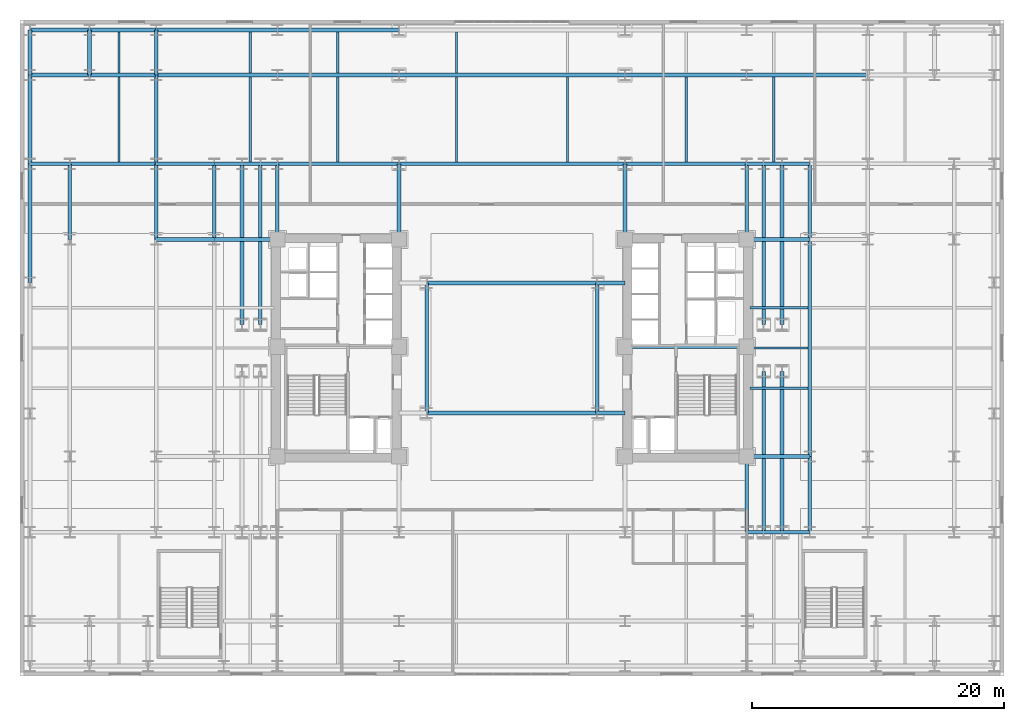
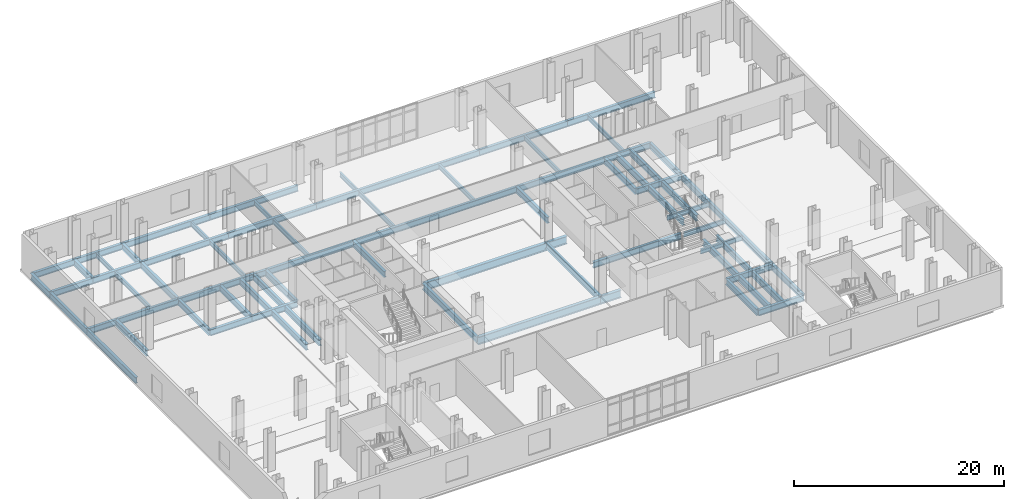
# One storey, part 4 of 15: 68 beams.
"""IFC4 building model written with IfcOpenShell, lengths in metres."""

from ifc_helpers import new_model, si_unit, direction, frame, origin, origin_2d, place, context, subcontext, project, spatial, i_section, extrude, material, material_profile, profile_set, type_object, element, save


model = new_model("IFC4")

# Units and contexts
model_context = context("Model", 3, precision=1e-05, world=origin(), true_north=direction((0.0, 1.0)))
body_context = subcontext(model_context, "Body", "Model", "MODEL_VIEW")
ifc_project = project(units=[si_unit("LENGTHUNIT", "METRE"), si_unit("AREAUNIT", "SQUARE_METRE"), si_unit("VOLUMEUNIT", "CUBIC_METRE"), si_unit("PLANEANGLEUNIT", "RADIAN"), si_unit("MASSUNIT", "GRAM", prefix="KILO")], contexts=[model_context])

# Site, building, storey
site_placement = place(None, origin())
site = spatial("IfcSite", under=ifc_project, at=site_placement, CompositionType="ELEMENT")
building_placement = place(site_placement, origin())
building = spatial("IfcBuilding", under=site, at=building_placement, Name="Velakula Bourse", CompositionType="ELEMENT")
storey_placement = place(building_placement, frame((0.0, 0.0, 14.10009765625)))
storey = spatial("IfcBuildingStorey", under=building, at=storey_placement, Name="L03", CompositionType="ELEMENT", Elevation=14.10009765625)

# Beams
ifc_material = material(Name="Steel IS 2062 Grade 350 (E350)", Category="steel")
ifc_material_profile_1 = material_profile(ifc_material, i_section(OverallWidth=0.35009765625, OverallDepth=0.89990234375, WebThickness=0.02001953125, FlangeThickness=0.031982421875, at=origin_2d()), Name="Steel IS 2062 Grade 350 (E350)")
ifc_profile_set_1 = profile_set([ifc_material_profile_1], Name="Steel IS 2062 Grade 350 (E350)")
beam_type_1 = type_object("IfcBeamType", Name="BM-LNK-900", PredefinedType="BEAM", material=ifc_profile_set_1)
beam_1_placement = place(storey_placement, frame((-6.75, -5.14990234375, -0.7001953125), z_axis=(1.0, 0.0, 0.0), x_axis=(0.0, 1.0, 0.0)))
element("IfcBeam", 1, at=beam_1_placement, inside=storey, type_object=beam_type_1, Name="L03 Primary Backbone Girder LNK-S2", PredefinedType="BEAM", context=body_context, shape_type="SweptSolid", body=[
    extrude(i_section(OverallWidth=0.35009765625, OverallDepth=0.89990234375, WebThickness=0.02001953125, FlangeThickness=0.031982421875, at=origin_2d()), origin(), (0.0, 0.0, 1.0), 13.5),
])
beam_2_placement = place(storey_placement, frame((6.75, -5.14990234375, -0.7001953125), z_axis=(1.0, 0.0, 0.0), x_axis=(0.0, 1.0, 0.0)))
element("IfcBeam", 2, at=beam_2_placement, inside=storey, type_object=beam_type_1, Name="L03 Primary Backbone Girder LNK-S3", PredefinedType="BEAM", context=body_context, shape_type="SweptSolid", body=[
    extrude(i_section(OverallWidth=0.35009765625, OverallDepth=0.89990234375, WebThickness=0.02001953125, FlangeThickness=0.031982421875, at=origin_2d()), origin(), (0.0, 0.0, 1.0), 2.199951171875),
])
beam_3_placement = place(storey_placement, frame((-6.75, 5.14990234375, -0.7001953125), z_axis=(1.0, 0.0, 0.0), x_axis=(0.0, 1.0, 0.0)))
element("IfcBeam", 3, at=beam_3_placement, inside=storey, type_object=beam_type_1, Name="L03 Primary Backbone Girder LNK-N2", PredefinedType="BEAM", context=body_context, shape_type="SweptSolid", body=[
    extrude(i_section(OverallWidth=0.35009765625, OverallDepth=0.89990234375, WebThickness=0.02001953125, FlangeThickness=0.031982421875, at=origin_2d()), origin(), (0.0, 0.0, 1.0), 13.5),
])
beam_4_placement = place(storey_placement, frame((6.75, 5.14990234375, -0.7001953125), z_axis=(1.0, 0.0, 0.0), x_axis=(0.0, 1.0, 0.0)))
element("IfcBeam", 4, at=beam_4_placement, inside=storey, type_object=beam_type_1, Name="L03 Primary Backbone Girder LNK-N3", PredefinedType="BEAM", context=body_context, shape_type="SweptSolid", body=[
    extrude(i_section(OverallWidth=0.35009765625, OverallDepth=0.89990234375, WebThickness=0.02001953125, FlangeThickness=0.031982421875, at=origin_2d()), origin(), (0.0, 0.0, 1.0), 2.199951171875),
])
ifc_material_profile_2 = material_profile(ifc_material, i_section(OverallWidth=0.300048828125, OverallDepth=0.699951171875, WebThickness=0.01611328125, FlangeThickness=0.02490234375, at=origin_2d()), Name="Steel IS 2062 Grade 350 (E350)")
ifc_profile_set_2 = profile_set([ifc_material_profile_2], Name="Steel IS 2062 Grade 350 (E350)")
beam_type_2 = type_object("IfcBeamType", Name="BM-POD-700", PredefinedType="BEAM", material=ifc_profile_set_2)
beam_5_placement = place(storey_placement, frame((8.949951171875, 0.10009765625, -0.60009765625), z_axis=(1.0, 0.0, 0.0), x_axis=(0.0, 1.0, 0.0)))
element("IfcBeam", 5, at=beam_5_placement, inside=storey, type_object=beam_type_2, Name="L03 Primary Backbone Girder CRE-M", PredefinedType="BEAM", context=body_context, shape_type="SweptSolid", body=[
    extrude(i_section(OverallWidth=0.300048828125, OverallDepth=0.699951171875, WebThickness=0.01611328125, FlangeThickness=0.02490234375, at=origin_2d()), origin(), (0.0, 0.0, 1.0), 9.650146484375),
])
for number, where, z_axis, x_axis, name in (
    (6, (-6.75, -5.14990234375, -0.60009765625), (0.0, 1.0, 0.0), (-1.0, 0.0, 0.0), "L03 Primary Backbone Girder SPN-W"),
    (7, (6.75, -5.14990234375, -0.60009765625), (0.0, 1.0, 0.0), (-1.0, 0.0, 0.0), "L03 Primary Backbone Girder SPN-E"),
):
    element("IfcBeam", number, at=place(storey_placement, frame(where, z_axis=z_axis, x_axis=x_axis)), inside=storey, type_object=beam_type_2, Name=name, PredefinedType="BEAM", context=body_context, shape_type="SweptSolid", body=[
        extrude(i_section(OverallWidth=0.300048828125, OverallDepth=0.699951171875, WebThickness=0.01611328125, FlangeThickness=0.02490234375, at=origin_2d()), origin(), (0.0, 0.0, 1.0), 10.2998046875),
    ])
for number, where, z_axis, x_axis, name in (
    (8, (-18.60009765625, 8.60009765625, -0.60009765625), (0.0, 1.0, 0.0), (-1.0, 0.0, 0.0), "L03 Fulcrum Grid Girder FLC-WN"),
    (9, (-8.949951171875, 8.60009765625, -0.60009765625), (0.0, 1.0, 0.0), (-1.0, 0.0, 0.0), "L03 Fulcrum Grid Girder FLC-WCN"),
    (10, (8.949951171875, 8.60009765625, -0.60009765625), (0.0, 1.0, 0.0), (-1.0, 0.0, 0.0), "L03 Fulcrum Grid Girder FLC-ECN"),
    (11, (18.60009765625, -14.60009765625, -0.60009765625), (0.0, 1.0, 0.0), (-1.0, 0.0, 0.0), "L03 Fulcrum Grid Girder FLC-ES"),
    (12, (18.60009765625, 8.60009765625, -0.60009765625), (0.0, 1.0, 0.0), (-1.0, 0.0, 0.0), "L03 Fulcrum Grid Girder FLC-EN"),
):
    element("IfcBeam", number, at=place(storey_placement, frame(where, z_axis=z_axis, x_axis=x_axis)), inside=storey, type_object=beam_type_2, Name=name, PredefinedType="BEAM", context=body_context, shape_type="SweptSolid", body=[
        extrude(i_section(OverallWidth=0.300048828125, OverallDepth=0.699951171875, WebThickness=0.01611328125, FlangeThickness=0.02490234375, at=origin_2d()), origin(), (0.0, 0.0, 1.0), 6.0),
    ])
beam_6_placement = place(storey_placement, frame((-18.60009765625, 14.60009765625, -0.60009765625), z_axis=(1.0, 0.0, 0.0), x_axis=(0.0, 1.0, 0.0)))
element("IfcBeam", 13, at=beam_6_placement, inside=storey, type_object=beam_type_2, Name="L03 Fulcrum Grid Girder FLC-N1", PredefinedType="BEAM", context=body_context, shape_type="SweptSolid", body=[
    extrude(i_section(OverallWidth=0.300048828125, OverallDepth=0.699951171875, WebThickness=0.01611328125, FlangeThickness=0.02490234375, at=origin_2d()), origin(), (0.0, 0.0, 1.0), 9.650146484375),
])
beam_7_placement = place(storey_placement, frame((-8.949951171875, 14.60009765625, -0.60009765625), z_axis=(1.0, 0.0, 0.0), x_axis=(0.0, 1.0, 0.0)))
element("IfcBeam", 14, at=beam_7_placement, inside=storey, type_object=beam_type_2, Name="L03 Fulcrum Grid Girder FLC-N2", PredefinedType="BEAM", context=body_context, shape_type="SweptSolid", body=[
    extrude(i_section(OverallWidth=0.300048828125, OverallDepth=0.699951171875, WebThickness=0.01611328125, FlangeThickness=0.02490234375, at=origin_2d()), origin(), (0.0, 0.0, 1.0), 17.89990234375),
])
beam_8_placement = place(storey_placement, frame((8.949951171875, 14.60009765625, -0.60009765625), z_axis=(1.0, 0.0, 0.0), x_axis=(0.0, 1.0, 0.0)))
element("IfcBeam", 15, at=beam_8_placement, inside=storey, type_object=beam_type_2, Name="L03 Fulcrum Grid Girder FLC-N3", PredefinedType="BEAM", context=body_context, shape_type="SweptSolid", body=[
    extrude(i_section(OverallWidth=0.300048828125, OverallDepth=0.699951171875, WebThickness=0.01611328125, FlangeThickness=0.02490234375, at=origin_2d()), origin(), (0.0, 0.0, 1.0), 9.650146484375),
])
for number, where, z_axis, x_axis, name in (
    (16, (-21.39990234375, 1.85009765625, -0.60009765625), (0.0, 1.0, 0.0), (-1.0, 0.0, 0.0), "L03 Fulcrum Grid Girder FLC-PNW1"),
    (17, (-19.949951171875, 1.85009765625, -0.60009765625), (0.0, 1.0, 0.0), (-1.0, 0.0, 0.0), "L03 Fulcrum Grid Girder FLC-PNW2"),
    (18, (19.949951171875, -14.60009765625, -0.60009765625), (0.0, 1.0, 0.0), (-1.0, 0.0, 0.0), "L03 Fulcrum Grid Girder FLC-PSE1"),
    (19, (19.949951171875, 1.85009765625, -0.60009765625), (0.0, 1.0, 0.0), (-1.0, 0.0, 0.0), "L03 Fulcrum Grid Girder FLC-PNE1"),
    (20, (21.39990234375, -14.60009765625, -0.60009765625), (0.0, 1.0, 0.0), (-1.0, 0.0, 0.0), "L03 Fulcrum Grid Girder FLC-PSE2"),
    (21, (21.39990234375, 1.85009765625, -0.60009765625), (0.0, 1.0, 0.0), (-1.0, 0.0, 0.0), "L03 Fulcrum Grid Girder FLC-PNE2"),
):
    element("IfcBeam", number, at=place(storey_placement, frame(where, z_axis=z_axis, x_axis=x_axis)), inside=storey, type_object=beam_type_2, Name=name, PredefinedType="BEAM", context=body_context, shape_type="SweptSolid", body=[
        extrude(i_section(OverallWidth=0.300048828125, OverallDepth=0.699951171875, WebThickness=0.01611328125, FlangeThickness=0.02490234375, at=origin_2d()), origin(), (0.0, 0.0, 1.0), 12.75),
    ])
for number, where, z_axis, x_axis, name in (
    (22, (-23.60009765625, 8.60009765625, -0.60009765625), (1.0, 0.0, 0.0), (0.0, 1.0, 0.0), "L03 Fulcrum Grid Girder MWG-WN1"),
    (23, (-23.60009765625, 14.60009765625, -0.60009765625), (1.0, 0.0, 0.0), (0.0, 1.0, 0.0), "L03 Fulcrum Grid Girder MWG-WN2"),
):
    element("IfcBeam", number, at=place(storey_placement, frame(where, z_axis=z_axis, x_axis=x_axis)), inside=storey, type_object=beam_type_2, Name=name, PredefinedType="BEAM", context=body_context, shape_type="SweptSolid", body=[
        extrude(i_section(OverallWidth=0.300048828125, OverallDepth=0.699951171875, WebThickness=0.01611328125, FlangeThickness=0.02490234375, at=origin_2d()), origin(), (0.0, 0.0, 1.0), 5.0),
    ])
beam_9_placement = place(storey_placement, frame((-23.60009765625, 8.60009765625, -0.60009765625), z_axis=(0.0, 1.0, 0.0), x_axis=(-1.0, 0.0, 0.0)))
element("IfcBeam", 24, at=beam_9_placement, inside=storey, type_object=beam_type_2, Name="L03 Fulcrum Grid Girder MWG-WNS3", PredefinedType="BEAM", context=body_context, shape_type="SweptSolid", body=[
    extrude(i_section(OverallWidth=0.300048828125, OverallDepth=0.699951171875, WebThickness=0.01611328125, FlangeThickness=0.02490234375, at=origin_2d()), origin(), (0.0, 0.0, 1.0), 6.0),
])
for number, where, z_axis, x_axis, name in (
    (25, (18.60009765625, -14.60009765625, -0.60009765625), (1.0, 0.0, 0.0), (0.0, 1.0, 0.0), "L03 Fulcrum Grid Girder MWG-ES1"),
    (26, (18.60009765625, -8.60009765625, -0.60009765625), (1.0, 0.0, 0.0), (0.0, 1.0, 0.0), "L03 Fulcrum Grid Girder MWG-ES2"),
    (27, (18.60009765625, 8.60009765625, -0.60009765625), (1.0, 0.0, 0.0), (0.0, 1.0, 0.0), "L03 Fulcrum Grid Girder MWG-EN1"),
    (28, (18.60009765625, 14.60009765625, -0.60009765625), (1.0, 0.0, 0.0), (0.0, 1.0, 0.0), "L03 Fulcrum Grid Girder MWG-EN2"),
):
    element("IfcBeam", number, at=place(storey_placement, frame(where, z_axis=z_axis, x_axis=x_axis)), inside=storey, type_object=beam_type_2, Name=name, PredefinedType="BEAM", context=body_context, shape_type="SweptSolid", body=[
        extrude(i_section(OverallWidth=0.300048828125, OverallDepth=0.699951171875, WebThickness=0.01611328125, FlangeThickness=0.02490234375, at=origin_2d()), origin(), (0.0, 0.0, 1.0), 5.0),
    ])
beam_10_placement = place(storey_placement, frame((23.60009765625, -14.60009765625, -0.60009765625), z_axis=(0.0, 1.0, 0.0), x_axis=(-1.0, 0.0, 0.0)))
element("IfcBeam", 29, at=beam_10_placement, inside=storey, type_object=beam_type_2, Name="L03 Fulcrum Grid Girder MWG-ENS1", PredefinedType="BEAM", context=body_context, shape_type="SweptSolid", body=[
    extrude(i_section(OverallWidth=0.300048828125, OverallDepth=0.699951171875, WebThickness=0.01611328125, FlangeThickness=0.02490234375, at=origin_2d()), origin(), (0.0, 0.0, 1.0), 6.0),
])
beam_11_placement = place(storey_placement, frame((23.60009765625, -8.60009765625, -0.60009765625), z_axis=(0.0, 1.0, 0.0), x_axis=(-1.0, 0.0, 0.0)))
element("IfcBeam", 30, at=beam_11_placement, inside=storey, type_object=beam_type_2, Name="L03 Fulcrum Grid Girder MWG-ENS2", PredefinedType="BEAM", context=body_context, shape_type="SweptSolid", body=[
    extrude(i_section(OverallWidth=0.300048828125, OverallDepth=0.699951171875, WebThickness=0.01611328125, FlangeThickness=0.02490234375, at=origin_2d()), origin(), (0.0, 0.0, 1.0), 17.2001953125),
])
beam_12_placement = place(storey_placement, frame((23.60009765625, 8.60009765625, -0.60009765625), z_axis=(0.0, 1.0, 0.0), x_axis=(-1.0, 0.0, 0.0)))
element("IfcBeam", 31, at=beam_12_placement, inside=storey, type_object=beam_type_2, Name="L03 Fulcrum Grid Girder MWG-ENS3", PredefinedType="BEAM", context=body_context, shape_type="SweptSolid", body=[
    extrude(i_section(OverallWidth=0.300048828125, OverallDepth=0.699951171875, WebThickness=0.01611328125, FlangeThickness=0.02490234375, at=origin_2d()), origin(), (0.0, 0.0, 1.0), 6.0),
])
for number, where, z_axis, x_axis, name in (
    (32, (-28.199951171875, 8.60009765625, -0.60009765625), (1.0, 0.0, 0.0), (0.0, 1.0, 0.0), "L03 Fulcrum Grid Girder WNG-WN1"),
    (33, (-28.199951171875, 14.60009765625, -0.60009765625), (1.0, 0.0, 0.0), (0.0, 1.0, 0.0), "L03 Fulcrum Grid Girder WNG-WN2"),
):
    element("IfcBeam", number, at=place(storey_placement, frame(where, z_axis=z_axis, x_axis=x_axis)), inside=storey, type_object=beam_type_2, Name=name, PredefinedType="BEAM", context=body_context, shape_type="SweptSolid", body=[
        extrude(i_section(OverallWidth=0.300048828125, OverallDepth=0.699951171875, WebThickness=0.01611328125, FlangeThickness=0.02490234375, at=origin_2d()), origin(), (0.0, 0.0, 1.0), 4.599853515625),
    ])
beam_13_placement = place(storey_placement, frame((-28.199951171875, 8.60009765625, -0.60009765625), z_axis=(0.0, 1.0, 0.0), x_axis=(-1.0, 0.0, 0.0)))
element("IfcBeam", 34, at=beam_13_placement, inside=storey, type_object=beam_type_2, Name="L03 Fulcrum Grid Girder WNG-WNS3", PredefinedType="BEAM", context=body_context, shape_type="SweptSolid", body=[
    extrude(i_section(OverallWidth=0.300048828125, OverallDepth=0.699951171875, WebThickness=0.01611328125, FlangeThickness=0.02490234375, at=origin_2d()), origin(), (0.0, 0.0, 1.0), 6.0),
])
beam_14_placement = place(storey_placement, frame((-38.199951171875, 14.60009765625, -0.60009765625), z_axis=(1.0, 0.0, 0.0), x_axis=(0.0, 1.0, 0.0)))
element("IfcBeam", 35, at=beam_14_placement, inside=storey, type_object=beam_type_2, Name="L03 Podium E-W Girder 34", PredefinedType="BEAM", context=body_context, shape_type="SweptSolid", body=[
    extrude(i_section(OverallWidth=0.300048828125, OverallDepth=0.699951171875, WebThickness=0.01611328125, FlangeThickness=0.02490234375, at=origin_2d()), origin(), (0.0, 0.0, 1.0), 3.14990234375),
])
beam_15_placement = place(storey_placement, frame((-35.050048828125, 14.60009765625, -0.60009765625), z_axis=(1.0, 0.0, 0.0), x_axis=(0.0, 1.0, 0.0)))
element("IfcBeam", 36, at=beam_15_placement, inside=storey, type_object=beam_type_2, Name="L03 Podium E-W Girder 35", PredefinedType="BEAM", context=body_context, shape_type="SweptSolid", body=[
    extrude(i_section(OverallWidth=0.300048828125, OverallDepth=0.699951171875, WebThickness=0.01611328125, FlangeThickness=0.02490234375, at=origin_2d()), origin(), (0.0, 0.0, 1.0), 6.85009765625),
])
beam_16_placement = place(storey_placement, frame((-38.199951171875, 21.64990234375, -0.60009765625), z_axis=(1.0, 0.0, 0.0), x_axis=(0.0, 1.0, 0.0)))
element("IfcBeam", 37, at=beam_16_placement, inside=storey, type_object=beam_type_2, Name="L03 Podium E-W Girder 47", PredefinedType="BEAM", context=body_context, shape_type="SweptSolid", body=[
    extrude(i_section(OverallWidth=0.300048828125, OverallDepth=0.699951171875, WebThickness=0.01611328125, FlangeThickness=0.02490234375, at=origin_2d()), origin(), (0.0, 0.0, 1.0), 4.699951171875),
])
beam_17_placement = place(storey_placement, frame((-33.5, 21.64990234375, -0.60009765625), z_axis=(1.0, 0.0, 0.0), x_axis=(0.0, 1.0, 0.0)))
element("IfcBeam", 38, at=beam_17_placement, inside=storey, type_object=beam_type_2, Name="L03 Podium E-W Girder 48", PredefinedType="BEAM", context=body_context, shape_type="SweptSolid", body=[
    extrude(i_section(OverallWidth=0.300048828125, OverallDepth=0.699951171875, WebThickness=0.01611328125, FlangeThickness=0.02490234375, at=origin_2d()), origin(), (0.0, 0.0, 1.0), 5.300048828125),
])
beam_18_placement = place(storey_placement, frame((-28.199951171875, 21.64990234375, -0.60009765625), z_axis=(1.0, 0.0, 0.0), x_axis=(0.0, 1.0, 0.0)))
element("IfcBeam", 39, at=beam_18_placement, inside=storey, type_object=beam_type_2, Name="L03 Podium E-W Girder 49", PredefinedType="BEAM", context=body_context, shape_type="SweptSolid", body=[
    extrude(i_section(OverallWidth=0.300048828125, OverallDepth=0.699951171875, WebThickness=0.01611328125, FlangeThickness=0.02490234375, at=origin_2d()), origin(), (0.0, 0.0, 1.0), 9.599853515625),
])
beam_19_placement = place(storey_placement, frame((-18.60009765625, 21.64990234375, -0.60009765625), z_axis=(1.0, 0.0, 0.0), x_axis=(0.0, 1.0, 0.0)))
element("IfcBeam", 40, at=beam_19_placement, inside=storey, type_object=beam_type_2, Name="L03 Podium E-W Girder 50", PredefinedType="BEAM", context=body_context, shape_type="SweptSolid", body=[
    extrude(i_section(OverallWidth=0.300048828125, OverallDepth=0.699951171875, WebThickness=0.01611328125, FlangeThickness=0.02490234375, at=origin_2d()), origin(), (0.0, 0.0, 1.0), 9.650146484375),
])
beam_20_placement = place(storey_placement, frame((-8.949951171875, 21.64990234375, -0.60009765625), z_axis=(1.0, 0.0, 0.0), x_axis=(0.0, 1.0, 0.0)))
element("IfcBeam", 41, at=beam_20_placement, inside=storey, type_object=beam_type_2, Name="L03 Podium E-W Girder 51", PredefinedType="BEAM", context=body_context, shape_type="SweptSolid", body=[
    extrude(i_section(OverallWidth=0.300048828125, OverallDepth=0.699951171875, WebThickness=0.01611328125, FlangeThickness=0.02490234375, at=origin_2d()), origin(), (0.0, 0.0, 1.0), 17.89990234375),
])
beam_21_placement = place(storey_placement, frame((8.949951171875, 21.64990234375, -0.60009765625), z_axis=(1.0, 0.0, 0.0), x_axis=(0.0, 1.0, 0.0)))
element("IfcBeam", 42, at=beam_21_placement, inside=storey, type_object=beam_type_2, Name="L03 Podium E-W Girder 52", PredefinedType="BEAM", context=body_context, shape_type="SweptSolid", body=[
    extrude(i_section(OverallWidth=0.300048828125, OverallDepth=0.699951171875, WebThickness=0.01611328125, FlangeThickness=0.02490234375, at=origin_2d()), origin(), (0.0, 0.0, 1.0), 9.650146484375),
])
beam_22_placement = place(storey_placement, frame((18.60009765625, 21.64990234375, -0.60009765625), z_axis=(1.0, 0.0, 0.0), x_axis=(0.0, 1.0, 0.0)))
element("IfcBeam", 43, at=beam_22_placement, inside=storey, type_object=beam_type_2, Name="L03 Podium E-W Girder 53", PredefinedType="BEAM", context=body_context, shape_type="SweptSolid", body=[
    extrude(i_section(OverallWidth=0.300048828125, OverallDepth=0.699951171875, WebThickness=0.01611328125, FlangeThickness=0.02490234375, at=origin_2d()), origin(), (0.0, 0.0, 1.0), 9.599853515625),
])
beam_23_placement = place(storey_placement, frame((-38.199951171875, 25.199951171875, -0.60009765625), z_axis=(1.0, 0.0, 0.0), x_axis=(0.0, 1.0, 0.0)))
element("IfcBeam", 44, at=beam_23_placement, inside=storey, type_object=beam_type_2, Name="L03 Podium E-W Girder 56", PredefinedType="BEAM", context=body_context, shape_type="SweptSolid", body=[
    extrude(i_section(OverallWidth=0.300048828125, OverallDepth=0.699951171875, WebThickness=0.01611328125, FlangeThickness=0.02490234375, at=origin_2d()), origin(), (0.0, 0.0, 1.0), 4.699951171875),
])
beam_24_placement = place(storey_placement, frame((-33.5, 25.199951171875, -0.60009765625), z_axis=(1.0, 0.0, 0.0), x_axis=(0.0, 1.0, 0.0)))
element("IfcBeam", 45, at=beam_24_placement, inside=storey, type_object=beam_type_2, Name="L03 Podium E-W Girder 57", PredefinedType="BEAM", context=body_context, shape_type="SweptSolid", body=[
    extrude(i_section(OverallWidth=0.300048828125, OverallDepth=0.699951171875, WebThickness=0.01611328125, FlangeThickness=0.02490234375, at=origin_2d()), origin(), (0.0, 0.0, 1.0), 5.300048828125),
])
beam_25_placement = place(storey_placement, frame((-28.199951171875, 25.199951171875, -0.60009765625), z_axis=(1.0, 0.0, 0.0), x_axis=(0.0, 1.0, 0.0)))
element("IfcBeam", 46, at=beam_25_placement, inside=storey, type_object=beam_type_2, Name="L03 Podium E-W Girder 58", PredefinedType="BEAM", context=body_context, shape_type="SweptSolid", body=[
    extrude(i_section(OverallWidth=0.300048828125, OverallDepth=0.699951171875, WebThickness=0.01611328125, FlangeThickness=0.02490234375, at=origin_2d()), origin(), (0.0, 0.0, 1.0), 9.599853515625),
])
beam_26_placement = place(storey_placement, frame((-18.60009765625, 25.199951171875, -0.60009765625), z_axis=(1.0, 0.0, 0.0), x_axis=(0.0, 1.0, 0.0)))
element("IfcBeam", 47, at=beam_26_placement, inside=storey, type_object=beam_type_2, Name="L03 Podium E-W Girder 59", PredefinedType="BEAM", context=body_context, shape_type="SweptSolid", body=[
    extrude(i_section(OverallWidth=0.300048828125, OverallDepth=0.699951171875, WebThickness=0.01611328125, FlangeThickness=0.02490234375, at=origin_2d()), origin(), (0.0, 0.0, 1.0), 9.650146484375),
])
beam_27_placement = place(storey_placement, frame((-38.199951171875, 5.199951171875, -0.60009765625), z_axis=(0.0, 1.0, 0.0), x_axis=(-1.0, 0.0, 0.0)))
element("IfcBeam", 48, at=beam_27_placement, inside=storey, type_object=beam_type_2, Name="L03 Podium N-S Girder 69", PredefinedType="BEAM", context=body_context, shape_type="SweptSolid", body=[
    extrude(i_section(OverallWidth=0.300048828125, OverallDepth=0.699951171875, WebThickness=0.01611328125, FlangeThickness=0.02490234375, at=origin_2d()), origin(), (0.0, 0.0, 1.0), 9.400146484375),
])
beam_28_placement = place(storey_placement, frame((-38.199951171875, 14.60009765625, -0.60009765625), z_axis=(0.0, 1.0, 0.0), x_axis=(-1.0, 0.0, 0.0)))
element("IfcBeam", 49, at=beam_28_placement, inside=storey, type_object=beam_type_2, Name="L03 Podium N-S Girder 70", PredefinedType="BEAM", context=body_context, shape_type="SweptSolid", body=[
    extrude(i_section(OverallWidth=0.300048828125, OverallDepth=0.699951171875, WebThickness=0.01611328125, FlangeThickness=0.02490234375, at=origin_2d()), origin(), (0.0, 0.0, 1.0), 7.0498046875),
])
beam_29_placement = place(storey_placement, frame((-38.199951171875, 21.64990234375, -0.60009765625), z_axis=(0.0, 1.0, 0.0), x_axis=(-1.0, 0.0, 0.0)))
element("IfcBeam", 50, at=beam_29_placement, inside=storey, type_object=beam_type_2, Name="L03 Podium N-S Girder 71", PredefinedType="BEAM", context=body_context, shape_type="SweptSolid", body=[
    extrude(i_section(OverallWidth=0.300048828125, OverallDepth=0.699951171875, WebThickness=0.01611328125, FlangeThickness=0.02490234375, at=origin_2d()), origin(), (0.0, 0.0, 1.0), 3.550048828125),
])
beam_30_placement = place(storey_placement, frame((-35.050048828125, 8.60009765625, -0.60009765625), z_axis=(0.0, 1.0, 0.0), x_axis=(-1.0, 0.0, 0.0)))
element("IfcBeam", 51, at=beam_30_placement, inside=storey, type_object=beam_type_2, Name="L03 Podium N-S Girder 74", PredefinedType="BEAM", context=body_context, shape_type="SweptSolid", body=[
    extrude(i_section(OverallWidth=0.300048828125, OverallDepth=0.699951171875, WebThickness=0.01611328125, FlangeThickness=0.02490234375, at=origin_2d()), origin(), (0.0, 0.0, 1.0), 6.0),
])
beam_31_placement = place(storey_placement, frame((-28.199951171875, 14.60009765625, -0.60009765625), z_axis=(0.0, 1.0, 0.0), x_axis=(-1.0, 0.0, 0.0)))
element("IfcBeam", 52, at=beam_31_placement, inside=storey, type_object=beam_type_2, Name="L03 Podium N-S Girder 80", PredefinedType="BEAM", context=body_context, shape_type="SweptSolid", body=[
    extrude(i_section(OverallWidth=0.300048828125, OverallDepth=0.699951171875, WebThickness=0.01611328125, FlangeThickness=0.02490234375, at=origin_2d()), origin(), (0.0, 0.0, 1.0), 7.0498046875),
])
for number, where, z_axis, x_axis, name in (
    (53, (-28.199951171875, 21.64990234375, -0.60009765625), (0.0, 1.0, 0.0), (-1.0, 0.0, 0.0), "L03 Podium N-S Girder 81"),
    (54, (-33.5, 21.64990234375, -0.60009765625), (0.0, 1.0, 0.0), (-1.0, 0.0, 0.0), "L03 Podium N-S Girder 99"),
):
    element("IfcBeam", number, at=place(storey_placement, frame(where, z_axis=z_axis, x_axis=x_axis)), inside=storey, type_object=beam_type_2, Name=name, PredefinedType="BEAM", context=body_context, shape_type="SweptSolid", body=[
        extrude(i_section(OverallWidth=0.300048828125, OverallDepth=0.699951171875, WebThickness=0.01611328125, FlangeThickness=0.02490234375, at=origin_2d()), origin(), (0.0, 0.0, 1.0), 3.550048828125),
    ])
ifc_material_profile_3 = material_profile(ifc_material, i_section(OverallWidth=0.18994140625, OverallDepth=0.550048828125, WebThickness=0.01123046875, FlangeThickness=0.019287109375, at=origin_2d()), Name="Steel IS 2062 Grade 350 (E350)")
ifc_profile_set_3 = profile_set([ifc_material_profile_3], Name="Steel IS 2062 Grade 350 (E350)")
beam_type_3 = type_object("IfcBeamType", Name="JST-POD-550", PredefinedType="JOIST", material=ifc_profile_set_3)
beam_32_placement = place(storey_placement, frame((-31.14990234375, 14.75, -0.525146484375), z_axis=(0.0, 1.0, 0.0), x_axis=(-1.0, 0.0, 0.0)))
element("IfcBeam", 55, at=beam_32_placement, inside=storey, type_object=beam_type_3, Name="L03 Station Podium Floor Joist 03", PredefinedType="JOIST", context=body_context, shape_type="SweptSolid", body=[
    extrude(i_section(OverallWidth=0.18994140625, OverallDepth=0.550048828125, WebThickness=0.01123046875, FlangeThickness=0.019287109375, at=origin_2d()), origin(), (0.0, 0.0, 1.0), 6.75),
])
beam_33_placement = place(storey_placement, frame((-31.14990234375, 21.800048828125, -0.525146484375), z_axis=(0.0, 1.0, 0.0), x_axis=(-1.0, 0.0, 0.0)))
element("IfcBeam", 56, at=beam_33_placement, inside=storey, type_object=beam_type_3, Name="L03 Station Podium Floor Joist 04", PredefinedType="JOIST", context=body_context, shape_type="SweptSolid", body=[
    extrude(i_section(OverallWidth=0.18994140625, OverallDepth=0.550048828125, WebThickness=0.01123046875, FlangeThickness=0.019287109375, at=origin_2d()), origin(), (0.0, 0.0, 1.0), 3.25),
])
beam_34_placement = place(storey_placement, frame((-20.75, 14.75, -0.525146484375), z_axis=(0.0, 1.0, 0.0), x_axis=(-1.0, 0.0, 0.0)))
element("IfcBeam", 57, at=beam_34_placement, inside=storey, type_object=beam_type_3, Name="L03 Station Podium Floor Joist 07", PredefinedType="JOIST", context=body_context, shape_type="SweptSolid", body=[
    extrude(i_section(OverallWidth=0.18994140625, OverallDepth=0.550048828125, WebThickness=0.01123046875, FlangeThickness=0.019287109375, at=origin_2d()), origin(), (0.0, 0.0, 1.0), 6.75),
])
beam_35_placement = place(storey_placement, frame((-20.75, 21.800048828125, -0.525146484375), z_axis=(0.0, 1.0, 0.0), x_axis=(-1.0, 0.0, 0.0)))
element("IfcBeam", 58, at=beam_35_placement, inside=storey, type_object=beam_type_3, Name="L03 Station Podium Floor Joist 08", PredefinedType="JOIST", context=body_context, shape_type="SweptSolid", body=[
    extrude(i_section(OverallWidth=0.18994140625, OverallDepth=0.550048828125, WebThickness=0.01123046875, FlangeThickness=0.019287109375, at=origin_2d()), origin(), (0.0, 0.0, 1.0), 3.25),
])
beam_36_placement = place(storey_placement, frame((-13.800048828125, 14.75, -0.525146484375), z_axis=(0.0, 1.0, 0.0), x_axis=(-1.0, 0.0, 0.0)))
element("IfcBeam", 59, at=beam_36_placement, inside=storey, type_object=beam_type_3, Name="L03 Station Podium Floor Joist 11", PredefinedType="JOIST", context=body_context, shape_type="SweptSolid", body=[
    extrude(i_section(OverallWidth=0.18994140625, OverallDepth=0.550048828125, WebThickness=0.01123046875, FlangeThickness=0.019287109375, at=origin_2d()), origin(), (0.0, 0.0, 1.0), 6.75),
])
beam_37_placement = place(storey_placement, frame((-13.800048828125, 21.800048828125, -0.525146484375), z_axis=(0.0, 1.0, 0.0), x_axis=(-1.0, 0.0, 0.0)))
element("IfcBeam", 60, at=beam_37_placement, inside=storey, type_object=beam_type_3, Name="L03 Station Podium Floor Joist 12", PredefinedType="JOIST", context=body_context, shape_type="SweptSolid", body=[
    extrude(i_section(OverallWidth=0.18994140625, OverallDepth=0.550048828125, WebThickness=0.01123046875, FlangeThickness=0.019287109375, at=origin_2d()), origin(), (0.0, 0.0, 1.0), 3.25),
])
beam_38_placement = place(storey_placement, frame((-4.39990234375, 14.75, -0.525146484375), z_axis=(0.0, 1.0, 0.0), x_axis=(-1.0, 0.0, 0.0)))
element("IfcBeam", 61, at=beam_38_placement, inside=storey, type_object=beam_type_3, Name="L03 Station Podium Floor Joist 15", PredefinedType="JOIST", context=body_context, shape_type="SweptSolid", body=[
    extrude(i_section(OverallWidth=0.18994140625, OverallDepth=0.550048828125, WebThickness=0.01123046875, FlangeThickness=0.019287109375, at=origin_2d()), origin(), (0.0, 0.0, 1.0), 6.75),
])
beam_39_placement = place(storey_placement, frame((-4.39990234375, 21.800048828125, -0.525146484375), z_axis=(0.0, 1.0, 0.0), x_axis=(-1.0, 0.0, 0.0)))
element("IfcBeam", 62, at=beam_39_placement, inside=storey, type_object=beam_type_3, Name="L03 Station Podium Floor Joist 16", PredefinedType="JOIST", context=body_context, shape_type="SweptSolid", body=[
    extrude(i_section(OverallWidth=0.18994140625, OverallDepth=0.550048828125, WebThickness=0.01123046875, FlangeThickness=0.019287109375, at=origin_2d()), origin(), (0.0, 0.0, 1.0), 3.25),
])
for number, where, z_axis, x_axis, name in (
    (63, (4.39990234375, 14.75, -0.525146484375), (0.0, 1.0, 0.0), (-1.0, 0.0, 0.0), "L03 Station Podium Floor Joist 19"),
    (64, (13.800048828125, 14.75, -0.525146484375), (0.0, 1.0, 0.0), (-1.0, 0.0, 0.0), "L03 Station Podium Floor Joist 23"),
    (65, (20.75, 14.75, -0.525146484375), (0.0, 1.0, 0.0), (-1.0, 0.0, 0.0), "L03 Station Podium Floor Joist 27"),
):
    element("IfcBeam", number, at=place(storey_placement, frame(where, z_axis=z_axis, x_axis=x_axis)), inside=storey, type_object=beam_type_3, Name=name, PredefinedType="JOIST", context=body_context, shape_type="SweptSolid", body=[
        extrude(i_section(OverallWidth=0.18994140625, OverallDepth=0.550048828125, WebThickness=0.01123046875, FlangeThickness=0.019287109375, at=origin_2d()), origin(), (0.0, 0.0, 1.0), 6.75),
    ])
for number, where, z_axis, x_axis, name in (
    (66, (18.85009765625, -3.199951171875, -0.525146484375), (1.0, 0.0, 0.0), (0.0, 1.0, 0.0), "L03 Station Wing Floor Joist 37"),
    (67, (18.85009765625, 0.0, -0.525146484375), (1.0, 0.0, 0.0), (0.0, 1.0, 0.0), "L03 Station Wing Floor Joist 45"),
    (68, (18.85009765625, 3.199951171875, -0.525146484375), (1.0, 0.0, 0.0), (0.0, 1.0, 0.0), "L03 Station Wing Floor Joist 53"),
):
    element("IfcBeam", number, at=place(storey_placement, frame(where, z_axis=z_axis, x_axis=x_axis)), inside=storey, type_object=beam_type_3, Name=name, PredefinedType="JOIST", context=body_context, shape_type="SweptSolid", body=[
        extrude(i_section(OverallWidth=0.18994140625, OverallDepth=0.550048828125, WebThickness=0.01123046875, FlangeThickness=0.019287109375, at=origin_2d()), origin(), (0.0, 0.0, 1.0), 4.599853515625),
    ])

save(model, "model.ifc")
